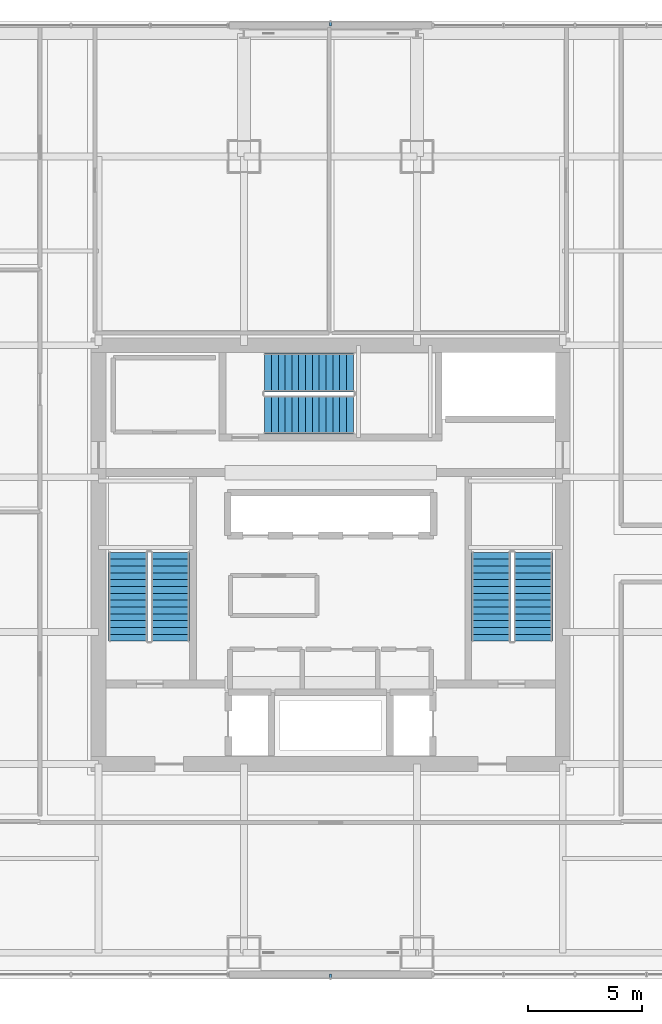
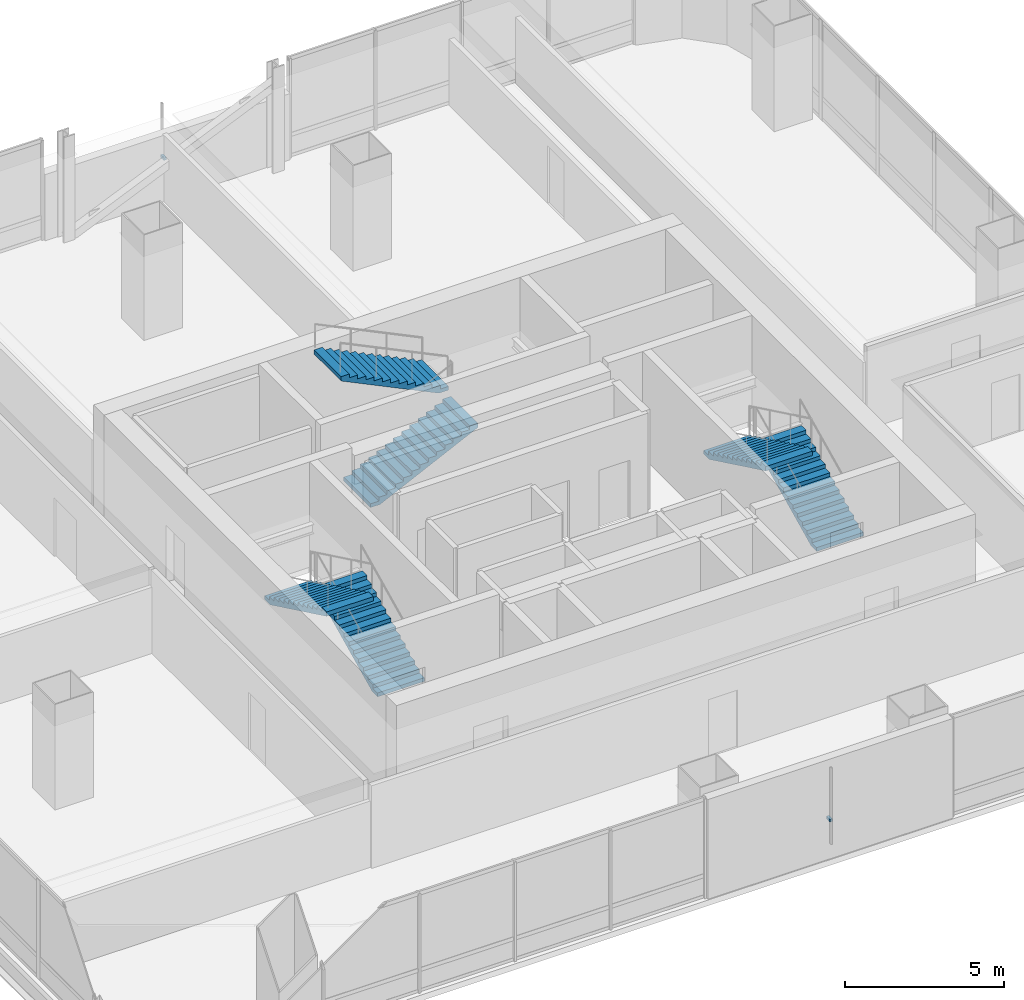
# One storey, part 31 of 38: 6 stair flights, 2 discrete accessories, 3 elements without a shape of their own.
"""IFC4 building model written with IfcOpenShell, lengths in metres."""

from ifc_helpers import new_model, si_unit, direction, frame, origin, origin_2d, place, context, subcontext, project, spatial, polyline, rectangle, outline, extrude, material, type_object, element, aggregate, save


model = new_model("IFC4")

# Units and contexts
model_context = context("Model", 3, precision=1e-05, world=origin(), true_north=direction((0.0, 1.0)))
body_context = subcontext(model_context, "Body", "Model", "MODEL_VIEW")
ifc_project = project(units=[si_unit("LENGTHUNIT", "METRE"), si_unit("AREAUNIT", "SQUARE_METRE"), si_unit("VOLUMEUNIT", "CUBIC_METRE"), si_unit("PLANEANGLEUNIT", "RADIAN"), si_unit("MASSUNIT", "GRAM", prefix="KILO")], contexts=[model_context])

# Site, building, storey
site_placement = place(None, origin())
site = spatial("IfcSite", under=ifc_project, at=site_placement, CompositionType="ELEMENT")
building_placement = place(site_placement, origin())
building = spatial("IfcBuilding", under=site, at=building_placement, Name="Punatoya Terracotta Tower", CompositionType="ELEMENT")
storey_placement = place(building_placement, frame((0.0, 0.0, 156.0)))
storey = spatial("IfcBuildingStorey", under=building, at=storey_placement, Name="L36", CompositionType="ELEMENT", Elevation=156.0)

# Stair, stair flights
ifc_material_1 = material(Name="Concrete C40/50", Category="concrete")
stair_type_1 = type_object("IfcStairType", Name="STR-CORE-1550", PredefinedType="HALF_TURN_STAIR", material=ifc_material_1)
stair_1_placement = place(storey_placement, origin())
stair_1 = element("IfcStair", 1, at=stair_1_placement, inside=storey, type_object=stair_type_1, Name="L36 Protected Core Exit Stair ST-1", PredefinedType="HALF_TURN_STAIR")
stair_flight_type_1 = type_object("IfcStairFlightType", Name="SFL-CORE-1550", PredefinedType="STRAIGHT", material=ifc_material_1)
stair_flight_1_placement = place(storey_placement, frame((-7.050048828125, -3.800048828125, 0.0), z_axis=(0.0, 0.0, 1.0), x_axis=(0.0, 1.0, 0.0)))
stair_flight_1 = element("IfcStairFlight", 2, at=stair_flight_1_placement, type_object=stair_flight_type_1, Name="ST-1 flight 1", NumberOfRisers=14, NumberOfTreads=13, PredefinedType="STRAIGHT", RiserHeight=0.144642857, TreadLength=0.3, context=body_context, shape_type="SweptSolid", body=[
    extrude(outline(polyline([(0.0, 0.0), (0.0, 0.14453125), (0.300048828125, 0.14453125), (0.300048828125, 0.289306640625), (0.60009765625, 0.289306640625), (0.60009765625, 0.433837890625), (0.89990234375, 0.433837890625), (0.89990234375, 0.57861328125), (1.199951171875, 0.57861328125), (1.199951171875, 0.72314453125), (1.5, 0.72314453125), (1.5, 0.867919921875), (1.800048828125, 0.867919921875), (1.800048828125, 1.012451171875), (2.10009765625, 1.012451171875), (2.10009765625, 1.1572265625), (2.39990234375, 1.1572265625), (2.39990234375, 1.3017578125), (2.699951171875, 1.3017578125), (2.699951171875, 1.446533203125), (3.0, 1.446533203125), (3.0, 1.591064453125), (3.300048828125, 1.591064453125), (3.300048828125, 1.735595703125), (3.60009765625, 1.735595703125), (3.60009765625, 1.88037109375), (3.89990234375, 1.88037109375), (3.89990234375, 2.02490234375), (3.89990234375, 1.7138671875), (0.34521484375, 0.0), (0.0, 0.0)])), frame((0.0, 0.85009765625, 0.0), z_axis=(0.0, -1.0, 0.0), x_axis=(1.0, 0.0, 0.0)), (0.0, 0.0, 1.0), 1.699951171875),
])
stair_flight_2_placement = place(storey_placement, frame((-8.89990234375, 0.10009765625, 2.02490234375), z_axis=(0.0, 0.0, 1.0), x_axis=(0.0, -1.0, 0.0)))
stair_flight_2 = element("IfcStairFlight", 3, at=stair_flight_2_placement, type_object=stair_flight_type_1, Name="ST-1 flight 2", NumberOfRisers=14, NumberOfTreads=13, PredefinedType="STRAIGHT", RiserHeight=0.144642857, TreadLength=0.3, context=body_context, shape_type="SweptSolid", body=[
    extrude(outline(polyline([(0.0, 0.0), (0.0, 0.14453125), (0.300048828125, 0.14453125), (0.300048828125, 0.289306640625), (0.60009765625, 0.289306640625), (0.60009765625, 0.433837890625), (0.89990234375, 0.433837890625), (0.89990234375, 0.57861328125), (1.199951171875, 0.57861328125), (1.199951171875, 0.72314453125), (1.5, 0.72314453125), (1.5, 0.867919921875), (1.800048828125, 0.867919921875), (1.800048828125, 1.012451171875), (2.10009765625, 1.012451171875), (2.10009765625, 1.1572265625), (2.39990234375, 1.1572265625), (2.39990234375, 1.3017578125), (2.699951171875, 1.3017578125), (2.699951171875, 1.446533203125), (3.0, 1.446533203125), (3.0, 1.591064453125), (3.300048828125, 1.591064453125), (3.300048828125, 1.735595703125), (3.60009765625, 1.735595703125), (3.60009765625, 1.88037109375), (3.89990234375, 1.88037109375), (3.89990234375, 2.02490234375), (3.89990234375, 1.7138671875), (0.34521484375, 0.0), (0.0, 0.0)])), frame((0.0, 0.85009765625, 0.0), z_axis=(0.0, -1.0, 0.0), x_axis=(1.0, 0.0, 0.0)), (0.0, 0.0, 1.0), 1.699951171875),
])
aggregate(stair_1, [stair_flight_1, stair_flight_2])

stair_type_2 = type_object("IfcStairType", Name="STR-LOB-1650", PredefinedType="HALF_TURN_STAIR", material=ifc_material_1)
stair_2_placement = place(storey_placement, origin())
stair_2 = element("IfcStair", 4, at=stair_2_placement, inside=storey, type_object=stair_type_2, Name="L36 Protected Core Exit Stair ST-2", PredefinedType="HALF_TURN_STAIR")
stair_flight_type_2 = type_object("IfcStairFlightType", Name="SFL-LOB-1650", PredefinedType="STRAIGHT", material=ifc_material_1)
stair_flight_3_placement = place(storey_placement, frame((8.89990234375, -3.800048828125, 0.0), z_axis=(0.0, 0.0, 1.0), x_axis=(0.0, 1.0, 0.0)))
stair_flight_3 = element("IfcStairFlight", 5, at=stair_flight_3_placement, type_object=stair_flight_type_2, Name="ST-2 flight 1", NumberOfRisers=14, NumberOfTreads=13, PredefinedType="STRAIGHT", RiserHeight=0.144642857, TreadLength=0.3, context=body_context, shape_type="SweptSolid", body=[
    extrude(outline(polyline([(0.0, 0.0), (0.0, 0.14453125), (0.300048828125, 0.14453125), (0.300048828125, 0.289306640625), (0.60009765625, 0.289306640625), (0.60009765625, 0.433837890625), (0.89990234375, 0.433837890625), (0.89990234375, 0.57861328125), (1.199951171875, 0.57861328125), (1.199951171875, 0.72314453125), (1.5, 0.72314453125), (1.5, 0.867919921875), (1.800048828125, 0.867919921875), (1.800048828125, 1.012451171875), (2.10009765625, 1.012451171875), (2.10009765625, 1.1572265625), (2.39990234375, 1.1572265625), (2.39990234375, 1.3017578125), (2.699951171875, 1.3017578125), (2.699951171875, 1.446533203125), (3.0, 1.446533203125), (3.0, 1.591064453125), (3.300048828125, 1.591064453125), (3.300048828125, 1.735595703125), (3.60009765625, 1.735595703125), (3.60009765625, 1.88037109375), (3.89990234375, 1.88037109375), (3.89990234375, 2.02490234375), (3.89990234375, 1.7138671875), (0.34521484375, 0.0), (0.0, 0.0)])), frame((0.0, 0.85009765625, 0.0), z_axis=(0.0, -1.0, 0.0), x_axis=(1.0, 0.0, 0.0)), (0.0, 0.0, 1.0), 1.699951171875),
])
stair_flight_4_placement = place(storey_placement, frame((7.050048828125, 0.10009765625, 2.02490234375), z_axis=(0.0, 0.0, 1.0), x_axis=(0.0, -1.0, 0.0)))
stair_flight_4 = element("IfcStairFlight", 6, at=stair_flight_4_placement, type_object=stair_flight_type_2, Name="ST-2 flight 2", NumberOfRisers=14, NumberOfTreads=13, PredefinedType="STRAIGHT", RiserHeight=0.144642857, TreadLength=0.3, context=body_context, shape_type="SweptSolid", body=[
    extrude(outline(polyline([(0.0, 0.0), (0.0, 0.14453125), (0.300048828125, 0.14453125), (0.300048828125, 0.289306640625), (0.60009765625, 0.289306640625), (0.60009765625, 0.433837890625), (0.89990234375, 0.433837890625), (0.89990234375, 0.57861328125), (1.199951171875, 0.57861328125), (1.199951171875, 0.72314453125), (1.5, 0.72314453125), (1.5, 0.867919921875), (1.800048828125, 0.867919921875), (1.800048828125, 1.012451171875), (2.10009765625, 1.012451171875), (2.10009765625, 1.1572265625), (2.39990234375, 1.1572265625), (2.39990234375, 1.3017578125), (2.699951171875, 1.3017578125), (2.699951171875, 1.446533203125), (3.0, 1.446533203125), (3.0, 1.591064453125), (3.300048828125, 1.591064453125), (3.300048828125, 1.735595703125), (3.60009765625, 1.735595703125), (3.60009765625, 1.88037109375), (3.89990234375, 1.88037109375), (3.89990234375, 2.02490234375), (3.89990234375, 1.7138671875), (0.34521484375, 0.0), (0.0, 0.0)])), frame((0.0, 0.85009765625, 0.0), z_axis=(0.0, -1.0, 0.0), x_axis=(1.0, 0.0, 0.0)), (0.0, 0.0, 1.0), 1.699951171875),
])
aggregate(stair_2, [stair_flight_3, stair_flight_4])

stair_type_3 = type_object("IfcStairType", Name="STR-TER-1450", PredefinedType="HALF_TURN_STAIR", material=ifc_material_1)
stair_3_placement = place(storey_placement, origin())
stair_3 = element("IfcStair", 7, at=stair_3_placement, inside=storey, type_object=stair_type_3, Name="L36 Protected Core Exit Stair ST-3", PredefinedType="HALF_TURN_STAIR")
stair_flight_type_3 = type_object("IfcStairFlightType", Name="SFL-TER-1450", PredefinedType="STRAIGHT", material=ifc_material_1)
stair_flight_5_placement = place(storey_placement, frame((-2.89990234375, 6.14990234375, 0.0), z_axis=(0.0, 0.0, 1.0), x_axis=(1.0, 0.0, 0.0)))
stair_flight_5 = element("IfcStairFlight", 8, at=stair_flight_5_placement, type_object=stair_flight_type_3, Name="ST-3 flight 1", NumberOfRisers=14, NumberOfTreads=13, PredefinedType="STRAIGHT", RiserHeight=0.144642857, TreadLength=0.3, context=body_context, shape_type="SweptSolid", body=[
    extrude(outline(polyline([(0.0, 0.0), (0.0, 0.14453125), (0.300048828125, 0.14453125), (0.300048828125, 0.289306640625), (0.60009765625, 0.289306640625), (0.60009765625, 0.433837890625), (0.89990234375, 0.433837890625), (0.89990234375, 0.57861328125), (1.199951171875, 0.57861328125), (1.199951171875, 0.72314453125), (1.5, 0.72314453125), (1.5, 0.867919921875), (1.800048828125, 0.867919921875), (1.800048828125, 1.012451171875), (2.10009765625, 1.012451171875), (2.10009765625, 1.1572265625), (2.39990234375, 1.1572265625), (2.39990234375, 1.3017578125), (2.699951171875, 1.3017578125), (2.699951171875, 1.446533203125), (3.0, 1.446533203125), (3.0, 1.591064453125), (3.300048828125, 1.591064453125), (3.300048828125, 1.735595703125), (3.60009765625, 1.735595703125), (3.60009765625, 1.88037109375), (3.89990234375, 1.88037109375), (3.89990234375, 2.02490234375), (3.89990234375, 1.7138671875), (0.34521484375, 0.0), (0.0, 0.0)])), frame((0.0, 0.85009765625, 0.0), z_axis=(0.0, -1.0, 0.0), x_axis=(1.0, 0.0, 0.0)), (0.0, 0.0, 1.0), 1.699951171875),
])
stair_flight_6_placement = place(storey_placement, frame((1.0, 8.0, 2.02490234375), z_axis=(0.0, 0.0, 1.0), x_axis=(-1.0, 0.0, 0.0)))
stair_flight_6 = element("IfcStairFlight", 9, at=stair_flight_6_placement, type_object=stair_flight_type_3, Name="ST-3 flight 2", NumberOfRisers=14, NumberOfTreads=13, PredefinedType="STRAIGHT", RiserHeight=0.144642857, TreadLength=0.3, context=body_context, shape_type="SweptSolid", body=[
    extrude(outline(polyline([(0.0, 0.0), (0.0, 0.14453125), (0.300048828125, 0.14453125), (0.300048828125, 0.289306640625), (0.60009765625, 0.289306640625), (0.60009765625, 0.433837890625), (0.89990234375, 0.433837890625), (0.89990234375, 0.57861328125), (1.199951171875, 0.57861328125), (1.199951171875, 0.72314453125), (1.5, 0.72314453125), (1.5, 0.867919921875), (1.800048828125, 0.867919921875), (1.800048828125, 1.012451171875), (2.10009765625, 1.012451171875), (2.10009765625, 1.1572265625), (2.39990234375, 1.1572265625), (2.39990234375, 1.3017578125), (2.699951171875, 1.3017578125), (2.699951171875, 1.446533203125), (3.0, 1.446533203125), (3.0, 1.591064453125), (3.300048828125, 1.591064453125), (3.300048828125, 1.735595703125), (3.60009765625, 1.735595703125), (3.60009765625, 1.88037109375), (3.89990234375, 1.88037109375), (3.89990234375, 2.02490234375), (3.89990234375, 1.7138671875), (0.34521484375, 0.0), (0.0, 0.0)])), frame((0.0, 0.85009765625, 0.0), z_axis=(0.0, -1.0, 0.0), x_axis=(1.0, 0.0, 0.0)), (0.0, 0.0, 1.0), 1.699951171875),
])
aggregate(stair_3, [stair_flight_5, stair_flight_6])

# Discrete accessories
ifc_material_2 = material(Name="Steel S355", Category="steel")
discrete_accessory_type = type_object("IfcDiscreteAccessoryType", Name="ACC-BRK-220", PredefinedType="BRACKET", material=ifc_material_2)
for number, where, z_axis, x_axis, name in (
    (10, (0.0, -18.550048828125, 1.449951171875), (0.0, 0.0, 1.0), (1.0, 0.0, 0.0), "L36 Jali Fin Support Bracket S1"),
    (11, (0.0, 23.35009765625, 1.449951171875), (0.0, 0.0, 1.0), (-1.0, 0.0, 0.0), "L36 Jali Fin Support Bracket N1"),
):
    element("IfcDiscreteAccessory", number, at=place(storey_placement, frame(where, z_axis=z_axis, x_axis=x_axis)), inside=storey, type_object=discrete_accessory_type, Name=name, PredefinedType="BRACKET", context=body_context, shape_type="SweptSolid", body=[
        extrude(rectangle(XDim=0.090087890625, YDim=0.219970703125, at=origin_2d()), origin(), (0.0, 0.0, 1.0), 0.10009765625),
    ])

save(model, "model.ifc")
